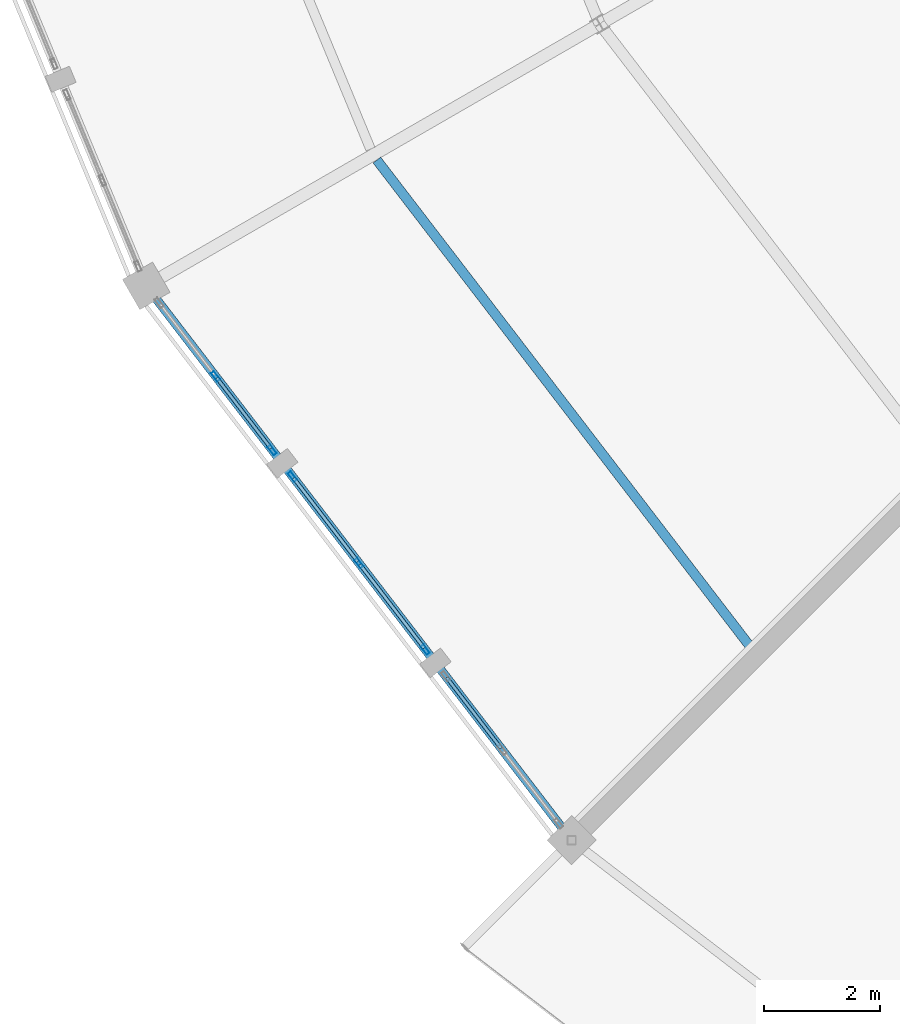
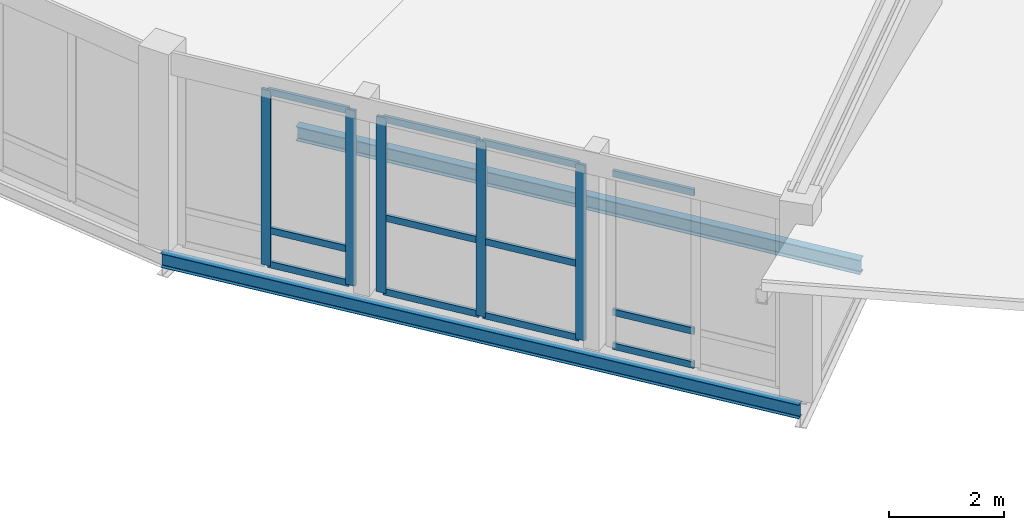
# One storey, part 34 of 200: 17 members, 2 beams, 3 elements without a shape of their own.
"""IFC4 building model written with IfcOpenShell, lengths in metres."""

from ifc_helpers import new_model, si_unit, direction, frame, origin, origin_2d, place, context, subcontext, project, spatial, hollow_rectangle, i_section, extrude, material, material_profile, profile_set, type_object, element, aggregate, save


model = new_model("IFC4")

# Units and contexts
model_context = context("Model", 3, precision=1e-05, world=origin(), true_north=direction((0.0, 1.0)))
body_context = subcontext(model_context, "Body", "Model", "MODEL_VIEW")
ifc_project = project(units=[si_unit("LENGTHUNIT", "METRE"), si_unit("AREAUNIT", "SQUARE_METRE"), si_unit("VOLUMEUNIT", "CUBIC_METRE"), si_unit("PLANEANGLEUNIT", "RADIAN"), si_unit("MASSUNIT", "GRAM", prefix="KILO")], contexts=[model_context])

# Site, building, storey
site_placement = place(None, origin())
site = spatial("IfcSite", under=ifc_project, at=site_placement, CompositionType="ELEMENT")
building_placement = place(site_placement, origin())
building = spatial("IfcBuilding", under=site, at=building_placement, Name="Vondelvale Polytechnic", CompositionType="ELEMENT")
storey_placement = place(building_placement, frame((0.0, 0.0, 13.800048828125)))
storey = spatial("IfcBuildingStorey", under=building, at=storey_placement, Name="L03", CompositionType="ELEMENT", Elevation=13.800048828125)

# Beam
ifc_material_1 = material(Name="Steel 300PLUS (fy = 300 MPa)", Category="steel")
ifc_material_profile_1 = material_profile(ifc_material_1, i_section(OverallWidth=0.14892578125, OverallDepth=0.298095703125, WebThickness=0.005615234375, FlangeThickness=0.008056640625, FilletRadius=0.011474609375, at=origin_2d()), Name="310UB32.0")
ifc_profile_set_1 = profile_set([ifc_material_profile_1], Name="Steel 300PLUS (fy = 300 MPa)")
beam_type_1 = type_object("IfcBeamType", Name="BM-UB310L", PredefinedType="BEAM", material=ifc_profile_set_1)
beam_1_placement = place(storey_placement, frame((62.162841796875, 49.0, -0.399169921875), z_axis=(0.608766116008, -0.793349743808, 0.0), x_axis=(0.793349743808, 0.608766116008, 0.0)))
element("IfcBeam", 1, at=beam_1_placement, inside=storey, type_object=beam_type_1, Name="L03 RB B-25", PredefinedType="BEAM", context=body_context, shape_type="SweptSolid", body=[
    extrude(i_section(OverallWidth=0.14892578125, OverallDepth=0.298095703125, WebThickness=0.005615234375, FlangeThickness=0.008056640625, FilletRadius=0.011474609375, at=origin_2d()), origin(), (0.0, 0.0, 1.0), 12.00830078125),
])

# Curtain wall, members
ifc_material_2 = material(Name="Glulam GL18 structural Tasmanian oak (fb = 42 MPa)", Category="wood")
curtain_wall_type = type_object("IfcCurtainWallType", Name="CW-RING-OUTER", PredefinedType="NOTDEFINED", material=ifc_material_2)
curtain_wall_1_placement = place(storey_placement, origin())
curtain_wall_1 = element("IfcCurtainWall", 2, at=curtain_wall_1_placement, inside=storey, type_object=curtain_wall_type, Name="L03 architectural curtain wall CW-04-307", PredefinedType="NOTDEFINED")
ifc_material_3 = material(Name="Anodised extruded aluminium 6063-T6", Category="aluminium")
ifc_material_profile_2 = material_profile(ifc_material_3, hollow_rectangle(XDim=0.06494140625, YDim=0.179931640625, WallThickness=0.00390625, at=origin_2d()), Name="CW-MUL-180x65")
ifc_profile_set_2 = profile_set([ifc_material_profile_2], Name="Anodised extruded aluminium 6063-T6")
member_type_1 = type_object("IfcMemberType", Name="CW-MUL-65x180", PredefinedType="MULLION", material=ifc_profile_set_2)
member_1_placement = place(storey_placement, frame((63.356201171875, 47.44482421875, 0.0), z_axis=(0.0, 0.0, 1.0), x_axis=(0.793333825656, 0.608786860133, 0.0)))
member_1 = element("IfcMember", 3, at=member_1_placement, type_object=member_type_1, Name="CW-04-307 mullion 2", PredefinedType="MULLION", context=body_context, shape_type="SweptSolid", body=[
    extrude(hollow_rectangle(XDim=0.06494140625, YDim=0.179931640625, WallThickness=0.00390625, at=origin_2d()), origin(), (0.0, 0.0, 1.0), 3.719970703125),
])
member_2_placement = place(storey_placement, frame((64.3271484375, 46.179443359375, 0.0), z_axis=(0.0, 0.0, 1.0), x_axis=(0.793333825656, 0.608786860133, 0.0)))
member_2 = element("IfcMember", 4, at=member_2_placement, type_object=member_type_1, Name="CW-04-307 mullion 3", PredefinedType="MULLION", context=body_context, shape_type="SweptSolid", body=[
    extrude(hollow_rectangle(XDim=0.06494140625, YDim=0.179931640625, WallThickness=0.00390625, at=origin_2d()), origin(), (0.0, 0.0, 1.0), 3.719970703125),
])

curtain_wall_2_placement = place(storey_placement, origin())
curtain_wall_2 = element("IfcCurtainWall", 5, at=curtain_wall_2_placement, inside=storey, type_object=curtain_wall_type, Name="L03 architectural curtain wall CW-04-308", PredefinedType="NOTDEFINED")
member_3_placement = place(storey_placement, frame((64.677001953125, 45.723388671875, 0.0), z_axis=(0.0, 0.0, 1.0), x_axis=(0.793345851043, 0.608771189063, 0.0)))
member_3 = element("IfcMember", 6, at=member_3_placement, type_object=member_type_1, Name="CW-04-308 mullion 1", PredefinedType="MULLION", context=body_context, shape_type="SweptSolid", body=[
    extrude(hollow_rectangle(XDim=0.06494140625, YDim=0.179931640625, WallThickness=0.00390625, at=origin_2d()), origin(), (0.0, 0.0, 1.0), 3.719970703125),
])
member_4_placement = place(storey_placement, frame((65.81787109375, 44.236572265625, 0.0), z_axis=(0.0, 0.0, 1.0), x_axis=(0.793345851043, 0.608771189063, 0.0)))
member_4 = element("IfcMember", 7, at=member_4_placement, type_object=member_type_1, Name="CW-04-308 mullion 2", PredefinedType="MULLION", context=body_context, shape_type="SweptSolid", body=[
    extrude(hollow_rectangle(XDim=0.06494140625, YDim=0.179931640625, WallThickness=0.00390625, at=origin_2d()), origin(), (0.0, 0.0, 1.0), 3.719970703125),
])
member_5_placement = place(storey_placement, frame((66.958740234375, 42.749755859375, 0.0), z_axis=(0.0, 0.0, 1.0), x_axis=(0.793345851043, 0.608771189063, 0.0)))
member_5 = element("IfcMember", 8, at=member_5_placement, type_object=member_type_1, Name="CW-04-308 mullion 3", PredefinedType="MULLION", context=body_context, shape_type="SweptSolid", body=[
    extrude(hollow_rectangle(XDim=0.06494140625, YDim=0.179931640625, WallThickness=0.00390625, at=origin_2d()), origin(), (0.0, 0.0, 1.0), 3.719970703125),
])

# Member
ifc_material_profile_3 = material_profile(ifc_material_3, hollow_rectangle(XDim=0.06005859375, YDim=0.139892578125, WallThickness=0.00341796875, at=origin_2d()), Name="CW-TRN-140x60")
ifc_profile_set_3 = profile_set([ifc_material_profile_3], Name="Anodised extruded aluminium 6063-T6")
member_type_2 = type_object("IfcMemberType", Name="CW-TRN-60x140", PredefinedType="USERDEFINED", material=ifc_profile_set_3)
member_6_placement = place(storey_placement, frame((63.3759765625, 47.4189453125, 0.030029296875), z_axis=(0.60882345649, -0.793305741078, 0.0), x_axis=(0.793305741078, 0.60882345649, 0.0)))
member_6 = element("IfcMember", 9, at=member_6_placement, type_object=member_type_2, Name="CW-04-307 transom 2.1", ObjectType="TRANSOM", PredefinedType="USERDEFINED", context=body_context, shape_type="SweptSolid", body=[
    extrude(hollow_rectangle(XDim=0.06005859375, YDim=0.139892578125, WallThickness=0.00341796875, at=origin_2d()), origin(), (0.0, 0.0, 1.0), 1.52978515625),
])

member_7_placement = place(storey_placement, frame((63.3759765625, 47.4189453125, 0.75), z_axis=(0.60882345649, -0.793305741078, 0.0), x_axis=(0.793305741078, 0.60882345649, 0.0)))
member_7 = element("IfcMember", 10, at=member_7_placement, type_object=member_type_2, Name="CW-04-307 transom 2.2", ObjectType="TRANSOM", PredefinedType="USERDEFINED", context=body_context, shape_type="SweptSolid", body=[
    extrude(hollow_rectangle(XDim=0.06005859375, YDim=0.139892578125, WallThickness=0.00341796875, at=origin_2d()), origin(), (0.0, 0.0, 1.0), 1.52978515625),
])

member_8_placement = place(storey_placement, frame((63.3759765625, 47.4189453125, 3.68994140625), z_axis=(0.60882345649, -0.793305741078, 0.0), x_axis=(0.793305741078, 0.60882345649, 0.0)))
member_8 = element("IfcMember", 11, at=member_8_placement, type_object=member_type_2, Name="CW-04-307 transom 2.3", ObjectType="TRANSOM", PredefinedType="USERDEFINED", context=body_context, shape_type="SweptSolid", body=[
    extrude(hollow_rectangle(XDim=0.06005859375, YDim=0.139892578125, WallThickness=0.00341796875, at=origin_2d()), origin(), (0.0, 0.0, 1.0), 1.52978515625),
])

aggregate(curtain_wall_1, [member_1, member_2, member_6, member_7, member_8])

member_9_placement = place(storey_placement, frame((64.69677734375, 45.697509765625, 0.030029296875), z_axis=(0.608816809849, -0.793310842007, 0.0), x_axis=(0.793310842007, 0.608816809849, 0.0)))
member_9 = element("IfcMember", 12, at=member_9_placement, type_object=member_type_2, Name="CW-04-308 transom 1.1", ObjectType="TRANSOM", PredefinedType="USERDEFINED", context=body_context, shape_type="SweptSolid", body=[
    extrude(hollow_rectangle(XDim=0.06005859375, YDim=0.139892578125, WallThickness=0.00341796875, at=origin_2d()), origin(), (0.0, 0.0, 1.0), 1.808837890625),
])

member_10_placement = place(storey_placement, frame((64.69677734375, 45.697509765625, 1.599853515625), z_axis=(0.608816809849, -0.793310842007, 0.0), x_axis=(0.793310842007, 0.608816809849, 0.0)))
member_10 = element("IfcMember", 13, at=member_10_placement, type_object=member_type_2, Name="CW-04-308 transom 1.2", ObjectType="TRANSOM", PredefinedType="USERDEFINED", context=body_context, shape_type="SweptSolid", body=[
    extrude(hollow_rectangle(XDim=0.06005859375, YDim=0.139892578125, WallThickness=0.00341796875, at=origin_2d()), origin(), (0.0, 0.0, 1.0), 1.808837890625),
])

member_11_placement = place(storey_placement, frame((64.69677734375, 45.697509765625, 3.68994140625), z_axis=(0.608816809849, -0.793310842007, 0.0), x_axis=(0.793310842007, 0.608816809849, 0.0)))
member_11 = element("IfcMember", 14, at=member_11_placement, type_object=member_type_2, Name="CW-04-308 transom 1.3", ObjectType="TRANSOM", PredefinedType="USERDEFINED", context=body_context, shape_type="SweptSolid", body=[
    extrude(hollow_rectangle(XDim=0.06005859375, YDim=0.139892578125, WallThickness=0.00341796875, at=origin_2d()), origin(), (0.0, 0.0, 1.0), 1.808837890625),
])

member_12_placement = place(storey_placement, frame((65.837646484375, 44.210693359375, 0.030029296875), z_axis=(0.608816809849, -0.793310842007, 0.0), x_axis=(0.793310842007, 0.608816809849, 0.0)))
member_12 = element("IfcMember", 15, at=member_12_placement, type_object=member_type_2, Name="CW-04-308 transom 2.1", ObjectType="TRANSOM", PredefinedType="USERDEFINED", context=body_context, shape_type="SweptSolid", body=[
    extrude(hollow_rectangle(XDim=0.06005859375, YDim=0.139892578125, WallThickness=0.00341796875, at=origin_2d()), origin(), (0.0, 0.0, 1.0), 1.808837890625),
])

member_13_placement = place(storey_placement, frame((65.837646484375, 44.210693359375, 1.599853515625), z_axis=(0.608816809849, -0.793310842007, 0.0), x_axis=(0.793310842007, 0.608816809849, 0.0)))
member_13 = element("IfcMember", 16, at=member_13_placement, type_object=member_type_2, Name="CW-04-308 transom 2.2", ObjectType="TRANSOM", PredefinedType="USERDEFINED", context=body_context, shape_type="SweptSolid", body=[
    extrude(hollow_rectangle(XDim=0.06005859375, YDim=0.139892578125, WallThickness=0.00341796875, at=origin_2d()), origin(), (0.0, 0.0, 1.0), 1.808837890625),
])

member_14_placement = place(storey_placement, frame((65.837646484375, 44.210693359375, 3.68994140625), z_axis=(0.608816809849, -0.793310842007, 0.0), x_axis=(0.793310842007, 0.608816809849, 0.0)))
member_14 = element("IfcMember", 17, at=member_14_placement, type_object=member_type_2, Name="CW-04-308 transom 2.3", ObjectType="TRANSOM", PredefinedType="USERDEFINED", context=body_context, shape_type="SweptSolid", body=[
    extrude(hollow_rectangle(XDim=0.06005859375, YDim=0.139892578125, WallThickness=0.00341796875, at=origin_2d()), origin(), (0.0, 0.0, 1.0), 1.808837890625),
])

aggregate(curtain_wall_2, [member_3, member_4, member_5, member_9, member_10, member_11, member_12, member_13, member_14])

# Curtain wall, members
curtain_wall_3_placement = place(storey_placement, origin())
curtain_wall_3 = element("IfcCurtainWall", 18, at=curtain_wall_3_placement, inside=storey, type_object=curtain_wall_type, Name="L03 architectural curtain wall CW-04-309", PredefinedType="NOTDEFINED")
member_15_placement = place(storey_placement, frame((67.32861328125, 42.267822265625, 0.030029296875), z_axis=(0.608746385664, -0.793364883229, 0.0), x_axis=(0.793364883229, 0.608746385664, 0.0)))
member_15 = element("IfcMember", 19, at=member_15_placement, type_object=member_type_2, Name="CW-04-309 transom 1.1", ObjectType="TRANSOM", PredefinedType="USERDEFINED", context=body_context, shape_type="SweptSolid", body=[
    extrude(hollow_rectangle(XDim=0.06005859375, YDim=0.139892578125, WallThickness=0.00341796875, at=origin_2d()), origin(), (0.0, 0.0, 1.0), 1.530029296875),
])
member_16_placement = place(storey_placement, frame((67.32861328125, 42.267822265625, 0.75), z_axis=(0.608746385664, -0.793364883229, 0.0), x_axis=(0.793364883229, 0.608746385664, 0.0)))
member_16 = element("IfcMember", 20, at=member_16_placement, type_object=member_type_2, Name="CW-04-309 transom 1.2", ObjectType="TRANSOM", PredefinedType="USERDEFINED", context=body_context, shape_type="SweptSolid", body=[
    extrude(hollow_rectangle(XDim=0.06005859375, YDim=0.139892578125, WallThickness=0.00341796875, at=origin_2d()), origin(), (0.0, 0.0, 1.0), 1.530029296875),
])
member_17_placement = place(storey_placement, frame((67.32861328125, 42.267822265625, 3.68994140625), z_axis=(0.608746385664, -0.793364883229, 0.0), x_axis=(0.793364883229, 0.608746385664, 0.0)))
member_17 = element("IfcMember", 21, at=member_17_placement, type_object=member_type_2, Name="CW-04-309 transom 1.3", ObjectType="TRANSOM", PredefinedType="USERDEFINED", context=body_context, shape_type="SweptSolid", body=[
    extrude(hollow_rectangle(XDim=0.06005859375, YDim=0.139892578125, WallThickness=0.00341796875, at=origin_2d()), origin(), (0.0, 0.0, 1.0), 1.530029296875),
])
aggregate(curtain_wall_3, [member_15, member_16, member_17])

# Beam
ifc_material_profile_4 = material_profile(ifc_material_1, i_section(OverallWidth=0.1650390625, OverallDepth=0.303955078125, WebThickness=0.006103515625, FlangeThickness=0.01025390625, FilletRadius=0.011474609375, at=origin_2d()), Name="310UB40.4")
ifc_profile_set_4 = profile_set([ifc_material_profile_4], Name="Steel 300PLUS (fy = 300 MPa)")
beam_type_2 = type_object("IfcBeamType", Name="JST-UB310", PredefinedType="JOIST", material=ifc_profile_set_4)
beam_2_placement = place(storey_placement, frame((66.126953125, 51.16259765625, -0.402099609375), z_axis=(0.608770977523, -0.793346013368, 0.0), x_axis=(0.793346013368, 0.608770977523, 0.0)))
element("IfcBeam", 22, at=beam_2_placement, inside=storey, type_object=beam_type_2, Name="L03 RJ J-05", PredefinedType="JOIST", context=body_context, shape_type="SweptSolid", body=[
    extrude(i_section(OverallWidth=0.1650390625, OverallDepth=0.303955078125, WebThickness=0.006103515625, FlangeThickness=0.01025390625, FilletRadius=0.011474609375, at=origin_2d()), origin(), (0.0, 0.0, 1.0), 10.613525390625),
])

save(model, "model.ifc")
